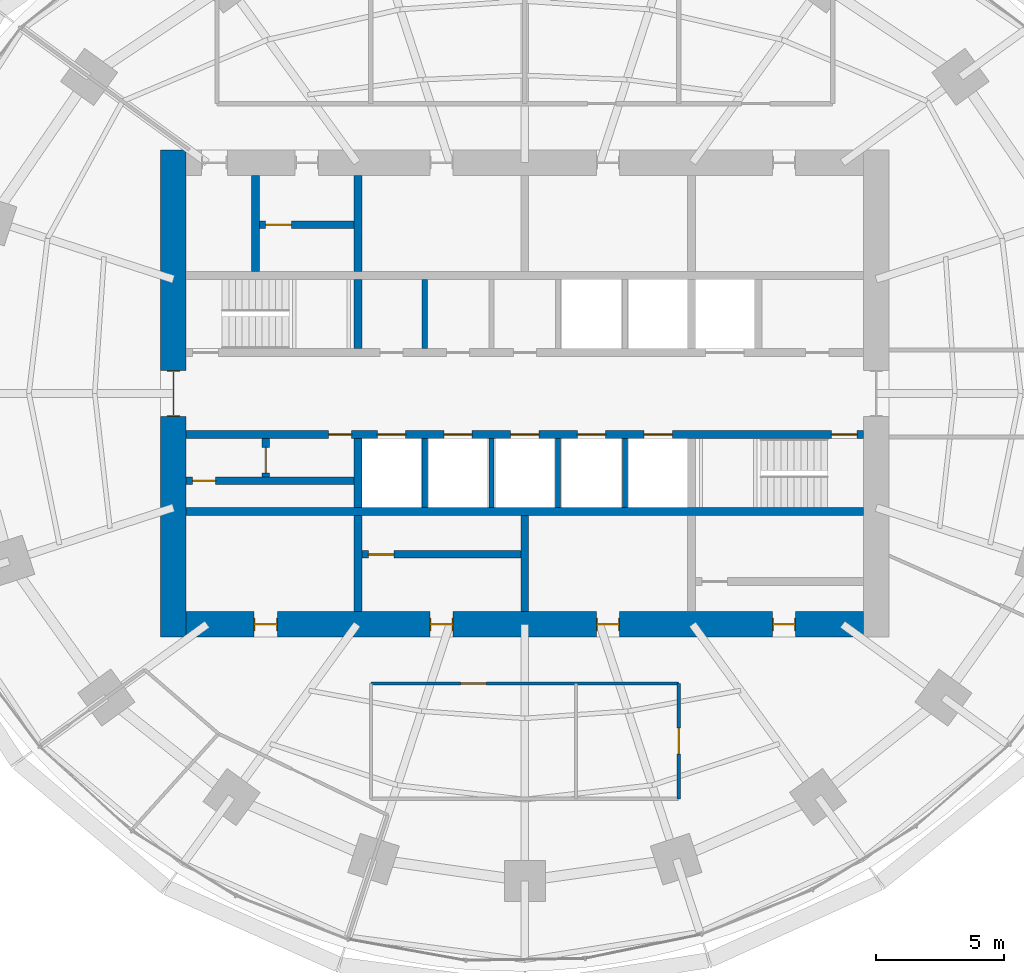
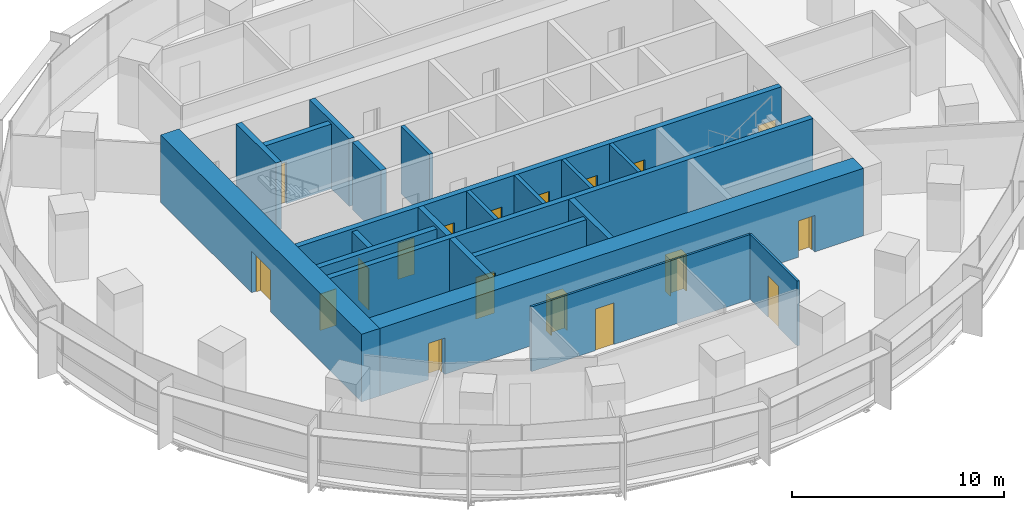
# One storey, part 10 of 14: 21 walls, 18 doors, 18 openings.
"""IFC4 building model written with IfcOpenShell, lengths in metres."""

from ifc_helpers import new_model, si_unit, direction, frame, frame_2d, origin, place, context, subcontext, project, spatial, rectangle, extrude, material, layer, layer_set, type_object, element, fill, save


model = new_model("IFC4")

# Units and contexts
model_context = context("Model", 3, precision=1e-05, world=origin(), true_north=direction((0.0, 1.0)))
body_context = subcontext(model_context, "Body", "Model", "MODEL_VIEW")
ifc_project = project(units=[si_unit("LENGTHUNIT", "METRE"), si_unit("AREAUNIT", "SQUARE_METRE"), si_unit("VOLUMEUNIT", "CUBIC_METRE"), si_unit("PLANEANGLEUNIT", "RADIAN"), si_unit("MASSUNIT", "GRAM", prefix="KILO")], contexts=[model_context])

# Site, building, storey
site_placement = place(None, origin())
site = spatial("IfcSite", under=ifc_project, at=site_placement, CompositionType="ELEMENT")
building_placement = place(site_placement, origin())
building = spatial("IfcBuilding", under=site, at=building_placement, Name="Marramba Exchange Tower", CompositionType="ELEMENT")
storey_placement = place(building_placement, frame((0.0, 0.0, 158.699951171875)))
storey = spatial("IfcBuildingStorey", under=building, at=storey_placement, Name="L38", CompositionType="ELEMENT", Elevation=158.699951171875)

# Walls
ifc_material_1 = material(Name="Concrete N50", Category="concrete")
ifc_layer_1 = layer(ifc_material_1, 0.199951171875)
ifc_layer_set_1 = layer_set([ifc_layer_1], Name="Core shaft wall 200")
wall_type_1 = type_object("IfcWallType", Name="Core shaft wall 200", PredefinedType="SHEAR", material=ifc_layer_set_1)
for number, where, z_axis, x_axis, name in (
    (1, (-3.89990234375, 1.75, 0.0), (0.0, 0.0, 1.0), (0.0, 1.0, 0.0), "Core wall SHN1 L38"),
    (2, (-3.89990234375, -1.75, 0.0), (0.0, 0.0, 1.0), (0.0, -1.0, 0.0), "Core wall SHS1 L38"),
    (3, (-1.300048828125, -1.75, 0.0), (0.0, 0.0, 1.0), (0.0, -1.0, 0.0), "Core wall SHS2 L38"),
    (4, (1.300048828125, -1.75, 0.0), (0.0, 0.0, 1.0), (0.0, -1.0, 0.0), "Core wall SHS3 L38"),
    (5, (3.89990234375, -1.75, 0.0), (0.0, 0.0, 1.0), (0.0, -1.0, 0.0), "Core wall SHS4 L38"),
):
    element("IfcWall", number, at=place(storey_placement, frame(where, z_axis=z_axis, x_axis=x_axis)), inside=storey, type_object=wall_type_1, Name=name, PredefinedType="SHEAR", context=body_context, shape_type="SweptSolid", body=[
        extrude(rectangle(XDim=2.699951171875, YDim=0.199951171875, at=frame_2d((1.35009765625, 0.0))), origin(), (0.0, 0.0, 1.0), 3.900146484375),
    ])

# Wall, openings, doors
ifc_layer_2 = layer(ifc_material_1, 1.0)
ifc_layer_set_2 = layer_set([ifc_layer_2], Name="Core wall 1000")
wall_type_2 = type_object("IfcWallType", Name="Core wall 1000", PredefinedType="SHEAR", material=ifc_layer_set_2)
wall_1_placement = place(storey_placement, frame((-13.199951171875, -9.0, 0.0), z_axis=(0.0, 0.0, 1.0), x_axis=(1.0, 0.0, 0.0)))
wall_1 = element("IfcWall", 6, at=wall_1_placement, inside=storey, type_object=wall_type_2, Name="Core wall S L38", PredefinedType="SHEAR", context=body_context, shape_type="SweptSolid", body=[
    extrude(rectangle(XDim=26.39990234375, YDim=1.0, at=frame_2d((13.199951171875, 0.0))), origin(), (0.0, 0.0, 1.0), 3.900146484375),
])
opening_1_placement = place(wall_1_placement, frame((2.64990234375, 0.0, 0.0)))
opening_1 = element("IfcOpeningElement", 7, at=opening_1_placement, cuts=wall_1, Name="Opening D5", PredefinedType="OPENING", context=body_context, shape_type="SweptSolid", body=[
    extrude(rectangle(XDim=0.89990234375, YDim=2.10009765625, at=frame_2d((0.449951171875, 1.050048828125))), frame((0.0, 0.510009765625, 0.0), z_axis=(0.0, -1.0, 0.0), x_axis=(1.0, 0.0, 0.0)), (0.0, 0.0, 1.0), 1.02001953125),
])
opening_2_placement = place(wall_1_placement, frame((9.5, 0.0, 0.0)))
opening_2 = element("IfcOpeningElement", 8, at=opening_2_placement, cuts=wall_1, Name="Opening D5", PredefinedType="OPENING", context=body_context, shape_type="SweptSolid", body=[
    extrude(rectangle(XDim=0.89990234375, YDim=2.10009765625, at=frame_2d((0.449951171875, 1.050048828125))), frame((0.0, 0.510009765625, 0.0), z_axis=(0.0, -1.0, 0.0), x_axis=(1.0, 0.0, 0.0)), (0.0, 0.0, 1.0), 1.02001953125),
])
opening_3_placement = place(wall_1_placement, frame((16.0, 0.0, 0.0)))
opening_3 = element("IfcOpeningElement", 9, at=opening_3_placement, cuts=wall_1, Name="Opening D5", PredefinedType="OPENING", context=body_context, shape_type="SweptSolid", body=[
    extrude(rectangle(XDim=0.89990234375, YDim=2.10009765625, at=frame_2d((0.449951171875, 1.050048828125))), frame((0.0, 0.510009765625, 0.0), z_axis=(0.0, -1.0, 0.0), x_axis=(1.0, 0.0, 0.0)), (0.0, 0.0, 1.0), 1.02001953125),
])
opening_4_placement = place(wall_1_placement, frame((22.85009765625, 0.0, 0.0)))
opening_4 = element("IfcOpeningElement", 10, at=opening_4_placement, cuts=wall_1, Name="Opening D5", PredefinedType="OPENING", context=body_context, shape_type="SweptSolid", body=[
    extrude(rectangle(XDim=0.89990234375, YDim=2.10009765625, at=frame_2d((0.449951171875, 1.050048828125))), frame((0.0, 0.510009765625, 0.0), z_axis=(0.0, -1.0, 0.0), x_axis=(1.0, 0.0, 0.0)), (0.0, 0.0, 1.0), 1.02001953125),
])
ifc_material_2 = material(Name="Steel-framed door", Category="steel")
door_type_1 = type_object("IfcDoorType", Name="Service door 900x2100", OperationType="SINGLE_SWING_LEFT", PredefinedType="DOOR", material=ifc_material_2)
door_1_placement = place(opening_1_placement, origin())
door_1 = element("IfcDoor", 11, at=door_1_placement, inside=storey, type_object=door_type_1, Name="D5 ahu L38", OperationType="SINGLE_SWING_LEFT", OverallHeight=2.10009765625, OverallWidth=0.89990234375, PredefinedType="DOOR", context=body_context, shape_type="SweptSolid", body=[
    extrude(rectangle(XDim=0.81982421875, YDim=2.06005859375, at=frame_2d((0.449951171875, 1.030029296875))), frame((0.0, 0.02490234375, 0.0), z_axis=(0.0, -1.0, 0.0), x_axis=(1.0, 0.0, 0.0)), (0.0, 0.0, 1.0), 0.050048828125),
    extrude(rectangle(XDim=0.04, YDim=2.10009765625, at=frame_2d((0.02001953125, 1.050048828125))), frame((0.0, 0.25, 0.0), z_axis=(0.0, -1.0, 0.0), x_axis=(1.0, 0.0, 0.0)), (0.0, 0.0, 1.0), 0.5),
    extrude(rectangle(XDim=0.04, YDim=2.10009765625, at=frame_2d((0.8798828125, 1.050048828125))), frame((0.0, 0.25, 0.0), z_axis=(0.0, -1.0, 0.0), x_axis=(1.0, 0.0, 0.0)), (0.0, 0.0, 1.0), 0.5),
    extrude(rectangle(XDim=0.81982421875, YDim=0.04, at=frame_2d((0.449951171875, 2.080078125))), frame((0.0, 0.25, 0.0), z_axis=(0.0, -1.0, 0.0), x_axis=(1.0, 0.0, 0.0)), (0.0, 0.0, 1.0), 0.5),
])
fill(opening_1, door_1)
door_2_placement = place(opening_2_placement, origin())
door_2 = element("IfcDoor", 12, at=door_2_placement, inside=storey, type_object=door_type_1, Name="D5 store L38", OperationType="SINGLE_SWING_RIGHT", OverallHeight=2.10009765625, OverallWidth=0.89990234375, PredefinedType="DOOR", context=body_context, shape_type="SweptSolid", body=[
    extrude(rectangle(XDim=0.81982421875, YDim=2.06005859375, at=frame_2d((0.449951171875, 1.030029296875))), frame((0.0, 0.02490234375, 0.0), z_axis=(0.0, -1.0, 0.0), x_axis=(1.0, 0.0, 0.0)), (0.0, 0.0, 1.0), 0.050048828125),
    extrude(rectangle(XDim=0.04, YDim=2.10009765625, at=frame_2d((0.02001953125, 1.050048828125))), frame((0.0, 0.25, 0.0), z_axis=(0.0, -1.0, 0.0), x_axis=(1.0, 0.0, 0.0)), (0.0, 0.0, 1.0), 0.5),
    extrude(rectangle(XDim=0.04, YDim=2.10009765625, at=frame_2d((0.8798828125, 1.050048828125))), frame((0.0, 0.25, 0.0), z_axis=(0.0, -1.0, 0.0), x_axis=(1.0, 0.0, 0.0)), (0.0, 0.0, 1.0), 0.5),
    extrude(rectangle(XDim=0.81982421875, YDim=0.04, at=frame_2d((0.449951171875, 2.080078125))), frame((0.0, 0.25, 0.0), z_axis=(0.0, -1.0, 0.0), x_axis=(1.0, 0.0, 0.0)), (0.0, 0.0, 1.0), 0.5),
])
fill(opening_2, door_2)
door_3_placement = place(opening_3_placement, origin())
door_3 = element("IfcDoor", 13, at=door_3_placement, inside=storey, type_object=door_type_1, Name="D5 switch L38", OperationType="SINGLE_SWING_RIGHT", OverallHeight=2.10009765625, OverallWidth=0.89990234375, PredefinedType="DOOR", context=body_context, shape_type="SweptSolid", body=[
    extrude(rectangle(XDim=0.81982421875, YDim=2.06005859375, at=frame_2d((0.449951171875, 1.030029296875))), frame((0.0, 0.02490234375, 0.0), z_axis=(0.0, -1.0, 0.0), x_axis=(1.0, 0.0, 0.0)), (0.0, 0.0, 1.0), 0.050048828125),
    extrude(rectangle(XDim=0.04, YDim=2.10009765625, at=frame_2d((0.02001953125, 1.050048828125))), frame((0.0, 0.25, 0.0), z_axis=(0.0, -1.0, 0.0), x_axis=(1.0, 0.0, 0.0)), (0.0, 0.0, 1.0), 0.5),
    extrude(rectangle(XDim=0.04, YDim=2.10009765625, at=frame_2d((0.8798828125, 1.050048828125))), frame((0.0, 0.25, 0.0), z_axis=(0.0, -1.0, 0.0), x_axis=(1.0, 0.0, 0.0)), (0.0, 0.0, 1.0), 0.5),
    extrude(rectangle(XDim=0.81982421875, YDim=0.04, at=frame_2d((0.449951171875, 2.080078125))), frame((0.0, 0.25, 0.0), z_axis=(0.0, -1.0, 0.0), x_axis=(1.0, 0.0, 0.0)), (0.0, 0.0, 1.0), 0.5),
])
fill(opening_3, door_3)
door_4_placement = place(opening_4_placement, origin())
door_4 = element("IfcDoor", 14, at=door_4_placement, inside=storey, type_object=door_type_1, Name="D5 cstore L38", OperationType="SINGLE_SWING_RIGHT", OverallHeight=2.10009765625, OverallWidth=0.89990234375, PredefinedType="DOOR", context=body_context, shape_type="SweptSolid", body=[
    extrude(rectangle(XDim=0.81982421875, YDim=2.06005859375, at=frame_2d((0.449951171875, 1.030029296875))), frame((0.0, 0.02490234375, 0.0), z_axis=(0.0, -1.0, 0.0), x_axis=(1.0, 0.0, 0.0)), (0.0, 0.0, 1.0), 0.050048828125),
    extrude(rectangle(XDim=0.04, YDim=2.10009765625, at=frame_2d((0.02001953125, 1.050048828125))), frame((0.0, 0.25, 0.0), z_axis=(0.0, -1.0, 0.0), x_axis=(1.0, 0.0, 0.0)), (0.0, 0.0, 1.0), 0.5),
    extrude(rectangle(XDim=0.04, YDim=2.10009765625, at=frame_2d((0.8798828125, 1.050048828125))), frame((0.0, 0.25, 0.0), z_axis=(0.0, -1.0, 0.0), x_axis=(1.0, 0.0, 0.0)), (0.0, 0.0, 1.0), 0.5),
    extrude(rectangle(XDim=0.81982421875, YDim=0.04, at=frame_2d((0.449951171875, 2.080078125))), frame((0.0, 0.25, 0.0), z_axis=(0.0, -1.0, 0.0), x_axis=(1.0, 0.0, 0.0)), (0.0, 0.0, 1.0), 0.5),
])
fill(opening_4, door_4)

# Wall, opening, door
wall_2_placement = place(storey_placement, frame((-13.699951171875, 9.5, 0.0), z_axis=(0.0, 0.0, 1.0), x_axis=(0.0, -1.0, 0.0)))
wall_2 = element("IfcWall", 15, at=wall_2_placement, inside=storey, type_object=wall_type_2, Name="Core wall W L38", PredefinedType="SHEAR", context=body_context, shape_type="SweptSolid", body=[
    extrude(rectangle(XDim=19.0, YDim=1.0, at=frame_2d((9.5, 0.0))), origin(), (0.0, 0.0, 1.0), 3.900146484375),
])
opening_5_placement = place(wall_2_placement, frame((8.60009765625, 0.0, 0.0)))
opening_5 = element("IfcOpeningElement", 16, at=opening_5_placement, cuts=wall_2, Name="Opening D1", PredefinedType="OPENING", context=body_context, shape_type="SweptSolid", body=[
    extrude(rectangle(XDim=1.800048828125, YDim=2.39990234375, at=frame_2d((0.89990234375, 1.199951171875))), frame((0.0, 0.510009765625, 0.0), z_axis=(0.0, -1.0, 0.0), x_axis=(1.0, 0.0, 0.0)), (0.0, 0.0, 1.0), 1.02001953125),
])
door_type_2 = type_object("IfcDoorType", Name="Lobby exit door 1800x2400", OperationType="DOUBLE_DOOR_SINGLE_SWING", PredefinedType="DOOR", material=ifc_material_2)
door_5_placement = place(opening_5_placement, origin())
door_5 = element("IfcDoor", 17, at=door_5_placement, inside=storey, type_object=door_type_2, Name="D1 lobby exit west L38", OperationType="DOUBLE_DOOR_SINGLE_SWING", OverallHeight=2.39990234375, OverallWidth=1.800048828125, PredefinedType="DOOR", context=body_context, shape_type="SweptSolid", body=[
    extrude(rectangle(XDim=1.719970703125, YDim=2.35986328125, at=frame_2d((0.89990234375, 1.179931640625))), frame((0.0, 0.02490234375, 0.0), z_axis=(0.0, -1.0, 0.0), x_axis=(1.0, 0.0, 0.0)), (0.0, 0.0, 1.0), 0.050048828125),
    extrude(rectangle(XDim=0.04, YDim=2.39990234375, at=frame_2d((0.02001953125, 1.199951171875))), frame((0.0, 0.25, 0.0), z_axis=(0.0, -1.0, 0.0), x_axis=(1.0, 0.0, 0.0)), (0.0, 0.0, 1.0), 0.5),
    extrude(rectangle(XDim=0.04, YDim=2.39990234375, at=frame_2d((1.780029296875, 1.199951171875))), frame((0.0, 0.25, 0.0), z_axis=(0.0, -1.0, 0.0), x_axis=(1.0, 0.0, 0.0)), (0.0, 0.0, 1.0), 0.5),
    extrude(rectangle(XDim=1.719970703125, YDim=0.04, at=frame_2d((0.89990234375, 2.3798828125))), frame((0.0, 0.25, 0.0), z_axis=(0.0, -1.0, 0.0), x_axis=(1.0, 0.0, 0.0)), (0.0, 0.0, 1.0), 0.5),
])
fill(opening_5, door_5)

# Wall, openings, doors
ifc_layer_3 = layer(ifc_material_1, 0.300048828125)
ifc_layer_set_3 = layer_set([ifc_layer_3], Name="Core wall 300")
wall_type_3 = type_object("IfcWallType", Name="Core wall 300", PredefinedType="SHEAR", material=ifc_layer_set_3)
wall_3_placement = place(storey_placement, frame((-13.199951171875, -1.60009765625, 0.0), z_axis=(0.0, 0.0, 1.0), x_axis=(1.0, 0.0, 0.0)))
wall_3 = element("IfcWall", 18, at=wall_3_placement, inside=storey, type_object=wall_type_3, Name="Core wall LS L38", PredefinedType="SHEAR", context=body_context, shape_type="SweptSolid", body=[
    extrude(rectangle(XDim=26.39990234375, YDim=0.300048828125, at=frame_2d((13.199951171875, 0.0))), origin(), (0.0, 0.0, 1.0), 3.900146484375),
])
opening_6_placement = place(wall_3_placement, frame((25.14990234375, 0.0, 0.0)))
opening_6 = element("IfcOpeningElement", 19, at=opening_6_placement, cuts=wall_3, Name="Opening D2", PredefinedType="OPENING", context=body_context, shape_type="SweptSolid", body=[
    extrude(rectangle(XDim=1.0, YDim=2.10009765625, at=frame_2d((0.5, 1.050048828125))), frame((0.0, 0.159912109375, 0.0), z_axis=(0.0, -1.0, 0.0), x_axis=(1.0, 0.0, 0.0)), (0.0, 0.0, 1.0), 0.320068359375),
])
opening_7_placement = place(wall_3_placement, frame((7.449951171875, 0.0, 0.0)))
opening_7 = element("IfcOpeningElement", 20, at=opening_7_placement, cuts=wall_3, Name="Opening LD1", PredefinedType="OPENING", context=body_context, shape_type="SweptSolid", body=[
    extrude(rectangle(XDim=1.10009765625, YDim=2.300048828125, at=frame_2d((0.550048828125, 1.14990234375))), frame((0.0, 0.159912109375, 0.0), z_axis=(0.0, -1.0, 0.0), x_axis=(1.0, 0.0, 0.0)), (0.0, 0.0, 1.0), 0.320068359375),
])
opening_8_placement = place(wall_3_placement, frame((10.050048828125, 0.0, 0.0)))
opening_8 = element("IfcOpeningElement", 21, at=opening_8_placement, cuts=wall_3, Name="Opening LD1", PredefinedType="OPENING", context=body_context, shape_type="SweptSolid", body=[
    extrude(rectangle(XDim=1.10009765625, YDim=2.300048828125, at=frame_2d((0.550048828125, 1.14990234375))), frame((0.0, 0.159912109375, 0.0), z_axis=(0.0, -1.0, 0.0), x_axis=(1.0, 0.0, 0.0)), (0.0, 0.0, 1.0), 0.320068359375),
])
opening_9_placement = place(wall_3_placement, frame((12.64990234375, 0.0, 0.0)))
opening_9 = element("IfcOpeningElement", 22, at=opening_9_placement, cuts=wall_3, Name="Opening LD1", PredefinedType="OPENING", context=body_context, shape_type="SweptSolid", body=[
    extrude(rectangle(XDim=1.10009765625, YDim=2.300048828125, at=frame_2d((0.550048828125, 1.14990234375))), frame((0.0, 0.159912109375, 0.0), z_axis=(0.0, -1.0, 0.0), x_axis=(1.0, 0.0, 0.0)), (0.0, 0.0, 1.0), 0.320068359375),
])
opening_10_placement = place(wall_3_placement, frame((15.25, 0.0, 0.0)))
opening_10 = element("IfcOpeningElement", 23, at=opening_10_placement, cuts=wall_3, Name="Opening LD2", PredefinedType="OPENING", context=body_context, shape_type="SweptSolid", body=[
    extrude(rectangle(XDim=1.10009765625, YDim=2.300048828125, at=frame_2d((0.550048828125, 1.14990234375))), frame((0.0, 0.159912109375, 0.0), z_axis=(0.0, -1.0, 0.0), x_axis=(1.0, 0.0, 0.0)), (0.0, 0.0, 1.0), 0.320068359375),
])
opening_11_placement = place(wall_3_placement, frame((17.85009765625, 0.0, 0.0)))
opening_11 = element("IfcOpeningElement", 24, at=opening_11_placement, cuts=wall_3, Name="Opening LD2", PredefinedType="OPENING", context=body_context, shape_type="SweptSolid", body=[
    extrude(rectangle(XDim=1.10009765625, YDim=2.300048828125, at=frame_2d((0.550048828125, 1.14990234375))), frame((0.0, 0.159912109375, 0.0), z_axis=(0.0, -1.0, 0.0), x_axis=(1.0, 0.0, 0.0)), (0.0, 0.0, 1.0), 0.320068359375),
])
opening_12_placement = place(wall_3_placement, frame((5.550048828125, 0.0, 0.0)))
opening_12 = element("IfcOpeningElement", 25, at=opening_12_placement, cuts=wall_3, Name="Opening D5", PredefinedType="OPENING", context=body_context, shape_type="SweptSolid", body=[
    extrude(rectangle(XDim=0.89990234375, YDim=2.10009765625, at=frame_2d((0.449951171875, 1.050048828125))), frame((0.0, 0.159912109375, 0.0), z_axis=(0.0, -1.0, 0.0), x_axis=(1.0, 0.0, 0.0)), (0.0, 0.0, 1.0), 0.320068359375),
])
door_type_3 = type_object("IfcDoorType", Name="Emergency lift landing door 1100x2300", OperationType="SLIDING_TO_LEFT", PredefinedType="DOOR", material=ifc_material_2)
door_6_placement = place(opening_10_placement, frame((1.10009765625, 0.0, 0.0), z_axis=(0.0, 0.0, 1.0), x_axis=(-1.0, 0.0, 0.0)))
door_6 = element("IfcDoor", 26, at=door_6_placement, inside=storey, type_object=door_type_3, Name="FL1 landing door L38", OperationType="SLIDING_TO_RIGHT", OverallHeight=2.300048828125, OverallWidth=1.10009765625, PredefinedType="DOOR", context=body_context, shape_type="SweptSolid", body=[
    extrude(rectangle(XDim=1.10009765625, YDim=2.300048828125, at=frame_2d((0.550048828125, 1.14990234375))), frame((0.0, 0.025146484375, 0.0), z_axis=(0.0, -1.0, 0.0), x_axis=(1.0, 0.0, 0.0)), (0.0, 0.0, 1.0), 0.050048828125),
])
fill(opening_10, door_6)
door_7_placement = place(opening_11_placement, frame((1.10009765625, 0.0, 0.0), z_axis=(0.0, 0.0, 1.0), x_axis=(-1.0, 0.0, 0.0)))
door_7 = element("IfcDoor", 27, at=door_7_placement, inside=storey, type_object=door_type_3, Name="FL2 landing door L38", OperationType="SLIDING_TO_LEFT", OverallHeight=2.300048828125, OverallWidth=1.10009765625, PredefinedType="DOOR", context=body_context, shape_type="SweptSolid", body=[
    extrude(rectangle(XDim=1.10009765625, YDim=2.300048828125, at=frame_2d((0.550048828125, 1.14990234375))), frame((0.0, 0.025146484375, 0.0), z_axis=(0.0, -1.0, 0.0), x_axis=(1.0, 0.0, 0.0)), (0.0, 0.0, 1.0), 0.050048828125),
])
fill(opening_11, door_7)
door_type_4 = type_object("IfcDoorType", Name="Lift landing door 1100x2300", OperationType="SLIDING_TO_LEFT", PredefinedType="DOOR", material=ifc_material_2)
door_8_placement = place(opening_7_placement, frame((1.10009765625, 0.0, 0.0), z_axis=(0.0, 0.0, 1.0), x_axis=(-1.0, 0.0, 0.0)))
door_8 = element("IfcDoor", 28, at=door_8_placement, inside=storey, type_object=door_type_4, Name="LB1 landing door L38", OperationType="SLIDING_TO_LEFT", OverallHeight=2.300048828125, OverallWidth=1.10009765625, PredefinedType="DOOR", context=body_context, shape_type="SweptSolid", body=[
    extrude(rectangle(XDim=1.10009765625, YDim=2.300048828125, at=frame_2d((0.550048828125, 1.14990234375))), frame((0.0, 0.025146484375, 0.0), z_axis=(0.0, -1.0, 0.0), x_axis=(1.0, 0.0, 0.0)), (0.0, 0.0, 1.0), 0.050048828125),
])
fill(opening_7, door_8)
door_9_placement = place(opening_8_placement, frame((1.10009765625, 0.0, 0.0), z_axis=(0.0, 0.0, 1.0), x_axis=(-1.0, 0.0, 0.0)))
door_9 = element("IfcDoor", 29, at=door_9_placement, inside=storey, type_object=door_type_4, Name="LB2 landing door L38", OperationType="SLIDING_TO_RIGHT", OverallHeight=2.300048828125, OverallWidth=1.10009765625, PredefinedType="DOOR", context=body_context, shape_type="SweptSolid", body=[
    extrude(rectangle(XDim=1.10009765625, YDim=2.300048828125, at=frame_2d((0.550048828125, 1.14990234375))), frame((0.0, 0.025146484375, 0.0), z_axis=(0.0, -1.0, 0.0), x_axis=(1.0, 0.0, 0.0)), (0.0, 0.0, 1.0), 0.050048828125),
])
fill(opening_8, door_9)
door_10_placement = place(opening_9_placement, frame((1.10009765625, 0.0, 0.0), z_axis=(0.0, 0.0, 1.0), x_axis=(-1.0, 0.0, 0.0)))
door_10 = element("IfcDoor", 30, at=door_10_placement, inside=storey, type_object=door_type_4, Name="LB3 landing door L38", OperationType="SLIDING_TO_RIGHT", OverallHeight=2.300048828125, OverallWidth=1.10009765625, PredefinedType="DOOR", context=body_context, shape_type="SweptSolid", body=[
    extrude(rectangle(XDim=1.10009765625, YDim=2.300048828125, at=frame_2d((0.550048828125, 1.14990234375))), frame((0.0, 0.025146484375, 0.0), z_axis=(0.0, -1.0, 0.0), x_axis=(1.0, 0.0, 0.0)), (0.0, 0.0, 1.0), 0.050048828125),
])
fill(opening_9, door_10)
door_11_placement = place(opening_12_placement, frame((0.89990234375, 0.0, 0.0), z_axis=(0.0, 0.0, 1.0), x_axis=(-1.0, 0.0, 0.0)))
door_11 = element("IfcDoor", 31, at=door_11_placement, inside=storey, type_object=door_type_1, Name="D5 electrical riser L38", OperationType="SINGLE_SWING_LEFT", OverallHeight=2.10009765625, OverallWidth=0.89990234375, PredefinedType="DOOR", context=body_context, shape_type="SweptSolid", body=[
    extrude(rectangle(XDim=0.89990234375, YDim=2.10009765625, at=frame_2d((0.449951171875, 1.050048828125))), frame((0.0, 0.025146484375, 0.0), z_axis=(0.0, -1.0, 0.0), x_axis=(1.0, 0.0, 0.0)), (0.0, 0.0, 1.0), 0.050048828125),
])
fill(opening_12, door_11)
door_type_5 = type_object("IfcDoorType", Name="Stair door 1000x2100", OperationType="SINGLE_SWING_LEFT", PredefinedType="DOOR", material=ifc_material_2)
door_12_placement = place(opening_6_placement, frame((1.0, 0.0, 0.0), z_axis=(0.0, 0.0, 1.0), x_axis=(-1.0, 0.0, 0.0)))
door_12 = element("IfcDoor", 32, at=door_12_placement, inside=storey, type_object=door_type_5, Name="D2 stair ST2 L38", OperationType="SINGLE_SWING_LEFT", OverallHeight=2.10009765625, OverallWidth=1.0, PredefinedType="DOOR", context=body_context, shape_type="SweptSolid", body=[
    extrude(rectangle(XDim=1.0, YDim=2.10009765625, at=frame_2d((0.5, 1.050048828125))), frame((0.0, 0.025146484375, 0.0), z_axis=(0.0, -1.0, 0.0), x_axis=(1.0, 0.0, 0.0)), (0.0, 0.0, 1.0), 0.050048828125),
])
fill(opening_6, door_12)

# Walls
wall_4_placement = place(storey_placement, frame((-13.199951171875, -4.60009765625, 0.0), z_axis=(0.0, 0.0, 1.0), x_axis=(1.0, 0.0, 0.0)))
element("IfcWall", 33, at=wall_4_placement, inside=storey, type_object=wall_type_3, Name="Core wall BS L38", PredefinedType="SHEAR", context=body_context, shape_type="SweptSolid", body=[
    extrude(rectangle(XDim=26.39990234375, YDim=0.300048828125, at=frame_2d((13.199951171875, 0.0))), origin(), (0.0, 0.0, 1.0), 3.900146484375),
])
wall_5_placement = place(storey_placement, frame((-6.5, 1.75, 0.0), z_axis=(0.0, 0.0, 1.0), x_axis=(0.0, 1.0, 0.0)))
element("IfcWall", 34, at=wall_5_placement, inside=storey, type_object=wall_type_3, Name="Core wall X0Na L38", PredefinedType="SHEAR", context=body_context, shape_type="SweptSolid", body=[
    extrude(rectangle(XDim=2.699951171875, YDim=0.300048828125, at=frame_2d((1.35009765625, 0.0))), origin(), (0.0, 0.0, 1.0), 3.900146484375),
])
wall_6_placement = place(storey_placement, frame((-6.5, 4.75, 0.0), z_axis=(0.0, 0.0, 1.0), x_axis=(0.0, 1.0, 0.0)))
element("IfcWall", 35, at=wall_6_placement, inside=storey, type_object=wall_type_3, Name="Core wall X0Nb L38", PredefinedType="SHEAR", context=body_context, shape_type="SweptSolid", body=[
    extrude(rectangle(XDim=3.75, YDim=0.300048828125, at=frame_2d((1.875, 0.0))), origin(), (0.0, 0.0, 1.0), 3.900146484375),
])
wall_7_placement = place(storey_placement, frame((-6.5, -1.75, 0.0), z_axis=(0.0, 0.0, 1.0), x_axis=(0.0, -1.0, 0.0)))
element("IfcWall", 36, at=wall_7_placement, inside=storey, type_object=wall_type_3, Name="Core wall X0Sa L38", PredefinedType="SHEAR", context=body_context, shape_type="SweptSolid", body=[
    extrude(rectangle(XDim=2.699951171875, YDim=0.300048828125, at=frame_2d((1.35009765625, 0.0))), origin(), (0.0, 0.0, 1.0), 3.900146484375),
])
for number, where, z_axis, x_axis, name in (
    (37, (-6.5, -4.75, 0.0), (0.0, 0.0, 1.0), (0.0, -1.0, 0.0), "Core wall X0Sb L38"),
    (38, (0.0, -4.75, 0.0), (0.0, 0.0, 1.0), (0.0, -1.0, 0.0), "Core wall MS L38"),
    (39, (-10.5, 4.75, 0.0), (0.0, 0.0, 1.0), (0.0, 1.0, 0.0), "Core wall WD L38"),
):
    element("IfcWall", number, at=place(storey_placement, frame(where, z_axis=z_axis, x_axis=x_axis)), inside=storey, type_object=wall_type_3, Name=name, PredefinedType="SHEAR", context=body_context, shape_type="SweptSolid", body=[
        extrude(rectangle(XDim=3.75, YDim=0.300048828125, at=frame_2d((1.875, 0.0))), origin(), (0.0, 0.0, 1.0), 3.900146484375),
    ])

# Wall, opening, door
ifc_material_3 = material(Name="Plasterboard on steel studs", Category="steel")
ifc_layer_4 = layer(ifc_material_3, 0.1201171875)
ifc_layer_set_4 = layer_set([ifc_layer_4], Name="Partition 120")
wall_type_4 = type_object("IfcWallType", Name="Partition 120", PredefinedType="PARTITIONING", material=ifc_layer_set_4)
wall_8_placement = place(storey_placement, frame((-6.0, -11.300048828125, 0.0), z_axis=(0.0, 0.0, 1.0), x_axis=(1.0, 0.0, 0.0)))
wall_8 = element("IfcWall", 40, at=wall_8_placement, inside=storey, type_object=wall_type_4, Name="Partition L38 07", PredefinedType="PARTITIONING", context=body_context, shape_type="SweptSolid", body=[
    extrude(rectangle(XDim=12.0, YDim=0.1201171875, at=frame_2d((6.0, 0.0))), origin(), (0.0, 0.0, 1.0), 3.739990234375),
])
opening_13_placement = place(wall_8_placement, frame((3.5, 0.0, 0.0)))
opening_13 = element("IfcOpeningElement", 41, at=opening_13_placement, cuts=wall_8, Name="Opening D9", PredefinedType="OPENING", context=body_context, shape_type="SweptSolid", body=[
    extrude(rectangle(XDim=1.0, YDim=2.39990234375, at=frame_2d((0.5, 1.199951171875))), frame((0.0, 0.070068359375, 0.0), z_axis=(0.0, -1.0, 0.0), x_axis=(1.0, 0.0, 0.0)), (0.0, 0.0, 1.0), 0.14013671875),
])
ifc_material_4 = material(Name="Timber door", Category="wood")
door_type_6 = type_object("IfcDoorType", Name="Room door 1000x2400", OperationType="SINGLE_SWING_LEFT", PredefinedType="DOOR", material=ifc_material_4)
door_13_placement = place(opening_13_placement, frame((1.0, 0.0, 0.0), z_axis=(0.0, 0.0, 1.0), x_axis=(-1.0, 0.0, 0.0)))
door_13 = element("IfcDoor", 42, at=door_13_placement, inside=storey, type_object=door_type_6, Name="D9 Pantry L38", OperationType="SINGLE_SWING_RIGHT", OverallHeight=2.39990234375, OverallWidth=1.0, PredefinedType="DOOR", context=body_context, shape_type="SweptSolid", body=[
    extrude(rectangle(XDim=1.0, YDim=2.39990234375, at=frame_2d((0.5, 1.199951171875))), frame((0.0, 0.025146484375, 0.0), z_axis=(0.0, -1.0, 0.0), x_axis=(1.0, 0.0, 0.0)), (0.0, 0.0, 1.0), 0.050048828125),
])
fill(opening_13, door_13)

wall_9_placement = place(storey_placement, frame((6.0, -11.300048828125, 0.0), z_axis=(0.0, 0.0, 1.0), x_axis=(0.0, -1.0, 0.0)))
wall_9 = element("IfcWall", 43, at=wall_9_placement, inside=storey, type_object=wall_type_4, Name="Partition L38 10", PredefinedType="PARTITIONING", context=body_context, shape_type="SweptSolid", body=[
    extrude(rectangle(XDim=4.5, YDim=0.1201171875, at=frame_2d((2.25, 0.0))), origin(), (0.0, 0.0, 1.0), 3.739990234375),
])
opening_14_placement = place(wall_9_placement, frame((1.75, 0.0, 0.0)))
opening_14 = element("IfcOpeningElement", 44, at=opening_14_placement, cuts=wall_9, Name="Opening D9", PredefinedType="OPENING", context=body_context, shape_type="SweptSolid", body=[
    extrude(rectangle(XDim=1.0, YDim=2.39990234375, at=frame_2d((0.5, 1.199951171875))), frame((0.0, 0.070068359375, 0.0), z_axis=(0.0, -1.0, 0.0), x_axis=(1.0, 0.0, 0.0)), (0.0, 0.0, 1.0), 0.14013671875),
])
door_14_placement = place(opening_14_placement, frame((1.0, 0.0, 0.0), z_axis=(0.0, 0.0, 1.0), x_axis=(-1.0, 0.0, 0.0)))
door_14 = element("IfcDoor", 45, at=door_14_placement, inside=storey, type_object=door_type_6, Name="D9 Print Room L38", OperationType="SINGLE_SWING_RIGHT", OverallHeight=2.39990234375, OverallWidth=1.0, PredefinedType="DOOR", context=body_context, shape_type="SweptSolid", body=[
    extrude(rectangle(XDim=1.0, YDim=2.39990234375, at=frame_2d((0.5, 1.199951171875))), frame((0.0, 0.025146484375, 0.0), z_axis=(0.0, -1.0, 0.0), x_axis=(1.0, 0.0, 0.0)), (0.0, 0.0, 1.0), 0.050048828125),
])
fill(opening_14, door_14)

ifc_material_5 = material(Name="Core-filled concrete blockwork", Category="masonry")
ifc_layer_5 = layer(ifc_material_5, 0.300048828125)
ifc_layer_set_5 = layer_set([ifc_layer_5], Name="Riser enclosure wall 300")
wall_type_5 = type_object("IfcWallType", Name="Riser enclosure wall 300", PredefinedType="SOLIDWALL", material=ifc_layer_set_5)
wall_10_placement = place(storey_placement, frame((-13.199951171875, -3.39990234375, 0.0), z_axis=(0.0, 0.0, 1.0), x_axis=(1.0, 0.0, 0.0)))
wall_10 = element("IfcWall", 46, at=wall_10_placement, inside=storey, type_object=wall_type_5, Name="Riser enclosure wall L38", PredefinedType="SOLIDWALL", context=body_context, shape_type="SweptSolid", body=[
    extrude(rectangle(XDim=6.550048828125, YDim=0.300048828125, at=frame_2d((3.27490234375, 0.0))), origin(), (0.0, 0.0, 1.0), 3.739990234375),
])
opening_15_placement = place(wall_10_placement, frame((0.25, 0.0, 0.0)))
opening_15 = element("IfcOpeningElement", 47, at=opening_15_placement, cuts=wall_10, Name="Opening D5", PredefinedType="OPENING", context=body_context, shape_type="SweptSolid", body=[
    extrude(rectangle(XDim=0.89990234375, YDim=2.10009765625, at=frame_2d((0.449951171875, 1.050048828125))), frame((0.0, 0.159912109375, 0.0), z_axis=(0.0, -1.0, 0.0), x_axis=(1.0, 0.0, 0.0)), (0.0, 0.0, 1.0), 0.320068359375),
])
door_15_placement = place(opening_15_placement, origin())
door_15 = element("IfcDoor", 48, at=door_15_placement, inside=storey, type_object=door_type_1, Name="D5 electrical riser back L38", OperationType="SINGLE_SWING_LEFT", OverallHeight=2.10009765625, OverallWidth=0.89990234375, PredefinedType="DOOR", context=body_context, shape_type="SweptSolid", body=[
    extrude(rectangle(XDim=0.89990234375, YDim=2.10009765625, at=frame_2d((0.449951171875, 1.050048828125))), frame((0.0, 0.02490234375, 0.0), z_axis=(0.0, -1.0, 0.0), x_axis=(1.0, 0.0, 0.0)), (0.0, 0.0, 1.0), 0.050048828125),
])
fill(opening_15, door_15)

ifc_material_6 = material(Name="Plasterboard on steel studs, insulated, unrated", Category="steel")
ifc_layer_6 = layer(ifc_material_6, 0.300048828125)
ifc_layer_set_6 = layer_set([ifc_layer_6], Name="Store partition 300")
wall_type_6 = type_object("IfcWallType", Name="Store partition 300", PredefinedType="PARTITIONING", material=ifc_layer_set_6)
wall_11_placement = place(storey_placement, frame((-10.35009765625, 6.580078125, 0.0), z_axis=(0.0, 0.0, 1.0), x_axis=(1.0, 0.0, 0.0)))
wall_11 = element("IfcWall", 49, at=wall_11_placement, inside=storey, type_object=wall_type_6, Name="Store partition L38 cleaner", PredefinedType="PARTITIONING", context=body_context, shape_type="SweptSolid", body=[
    extrude(rectangle(XDim=3.7001953125, YDim=0.300048828125, at=frame_2d((1.85009765625, 0.0))), origin(), (0.0, 0.0, 1.0), 3.739990234375),
])
opening_16_placement = place(wall_11_placement, frame((0.25, 0.0, 0.0)))
opening_16 = element("IfcOpeningElement", 50, at=opening_16_placement, cuts=wall_11, Name="Opening D9", PredefinedType="OPENING", context=body_context, shape_type="SweptSolid", body=[
    extrude(rectangle(XDim=1.0, YDim=2.39990234375, at=frame_2d((0.5, 1.199951171875))), frame((0.0, 0.159912109375, 0.0), z_axis=(0.0, -1.0, 0.0), x_axis=(1.0, 0.0, 0.0)), (0.0, 0.0, 1.0), 0.320068359375),
])
door_16_placement = place(opening_16_placement, frame((1.0, 0.0, 0.0), z_axis=(0.0, 0.0, 1.0), x_axis=(-1.0, 0.0, 0.0)))
door_16 = element("IfcDoor", 51, at=door_16_placement, inside=storey, type_object=door_type_6, Name="D9 cleaning store L38", OperationType="SINGLE_SWING_RIGHT", OverallHeight=2.39990234375, OverallWidth=1.0, PredefinedType="DOOR", context=body_context, shape_type="SweptSolid", body=[
    extrude(rectangle(XDim=1.0, YDim=2.39990234375, at=frame_2d((0.5, 1.199951171875))), frame((0.0, 0.025146484375, 0.0), z_axis=(0.0, -1.0, 0.0), x_axis=(1.0, 0.0, 0.0)), (0.0, 0.0, 1.0), 0.050048828125),
])
fill(opening_16, door_16)

wall_12_placement = place(storey_placement, frame((-6.35009765625, -6.27197265625, 0.0), z_axis=(0.0, 0.0, 1.0), x_axis=(1.0, 0.0, 0.0)))
wall_12 = element("IfcWall", 52, at=wall_12_placement, inside=storey, type_object=wall_type_6, Name="Store partition L38 store", PredefinedType="PARTITIONING", context=body_context, shape_type="SweptSolid", body=[
    extrude(rectangle(XDim=6.2001953125, YDim=0.300048828125, at=frame_2d((3.10009765625, 0.0))), origin(), (0.0, 0.0, 1.0), 3.739990234375),
])
opening_17_placement = place(wall_12_placement, frame((0.25, 0.0, 0.0)))
opening_17 = element("IfcOpeningElement", 53, at=opening_17_placement, cuts=wall_12, Name="Opening D9", PredefinedType="OPENING", context=body_context, shape_type="SweptSolid", body=[
    extrude(rectangle(XDim=1.0, YDim=2.39990234375, at=frame_2d((0.5, 1.199951171875))), frame((0.0, 0.159912109375, 0.0), z_axis=(0.0, -1.0, 0.0), x_axis=(1.0, 0.0, 0.0)), (0.0, 0.0, 1.0), 0.320068359375),
])
door_17_placement = place(opening_17_placement, origin())
door_17 = element("IfcDoor", 54, at=door_17_placement, inside=storey, type_object=door_type_6, Name="D9 stationery store L38", OperationType="SINGLE_SWING_LEFT", OverallHeight=2.39990234375, OverallWidth=1.0, PredefinedType="DOOR", context=body_context, shape_type="SweptSolid", body=[
    extrude(rectangle(XDim=1.0, YDim=2.39990234375, at=frame_2d((0.5, 1.199951171875))), frame((0.0, 0.02490234375, 0.0), z_axis=(0.0, -1.0, 0.0), x_axis=(1.0, 0.0, 0.0)), (0.0, 0.0, 1.0), 0.050048828125),
])
fill(opening_17, door_17)

wall_13_placement = place(storey_placement, frame((-10.10009765625, -3.25, 0.0), z_axis=(0.0, 0.0, 1.0), x_axis=(0.0, 1.0, 0.0)))
wall_13 = element("IfcWall", 55, at=wall_13_placement, inside=storey, type_object=wall_type_6, Name="Store partition L38 tool store", PredefinedType="PARTITIONING", context=body_context, shape_type="SweptSolid", body=[
    extrude(rectangle(XDim=1.5, YDim=0.300048828125, at=frame_2d((0.75, 0.0))), origin(), (0.0, 0.0, 1.0), 3.739990234375),
])
opening_18_placement = place(wall_13_placement, frame((0.14990234375, 0.0, 0.0)))
opening_18 = element("IfcOpeningElement", 56, at=opening_18_placement, cuts=wall_13, Name="Opening D9", PredefinedType="OPENING", context=body_context, shape_type="SweptSolid", body=[
    extrude(rectangle(XDim=1.0, YDim=2.39990234375, at=frame_2d((0.5, 1.199951171875))), frame((0.0, 0.159912109375, 0.0), z_axis=(0.0, -1.0, 0.0), x_axis=(1.0, 0.0, 0.0)), (0.0, 0.0, 1.0), 0.320068359375),
])
door_18_placement = place(opening_18_placement, origin())
door_18 = element("IfcDoor", 57, at=door_18_placement, inside=storey, type_object=door_type_6, Name="D9 tool store L38", OperationType="SINGLE_SWING_LEFT", OverallHeight=2.39990234375, OverallWidth=1.0, PredefinedType="DOOR", context=body_context, shape_type="SweptSolid", body=[
    extrude(rectangle(XDim=1.0, YDim=2.39990234375, at=frame_2d((0.5, 1.199951171875))), frame((0.0, 0.02490234375, 0.0), z_axis=(0.0, -1.0, 0.0), x_axis=(1.0, 0.0, 0.0)), (0.0, 0.0, 1.0), 0.050048828125),
])
fill(opening_18, door_18)

save(model, "model.ifc")
